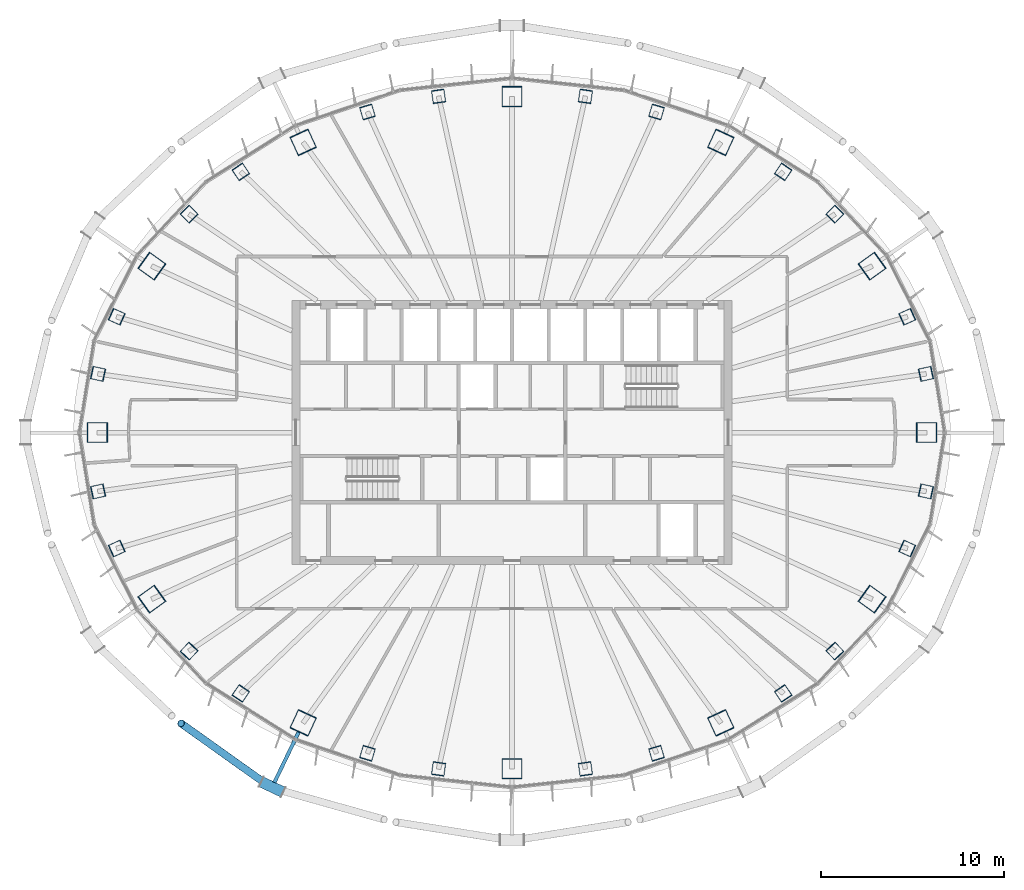
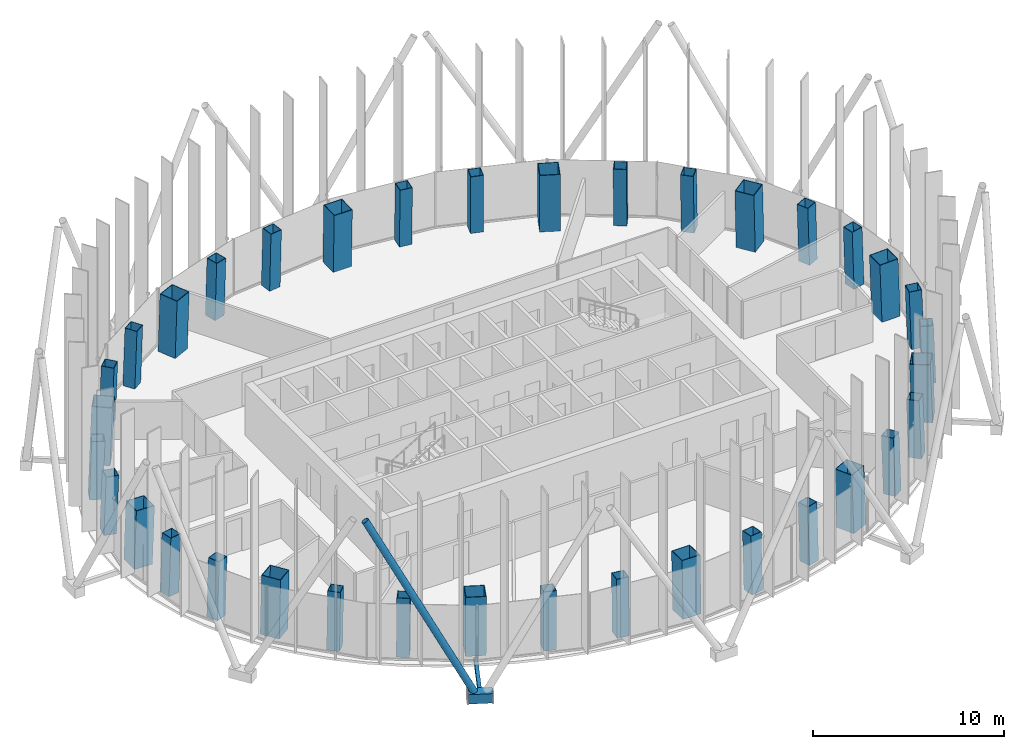
# One storey, part 1 of 19: 36 columns, 3 members.
"""IFC4 building model written with IfcOpenShell, lengths in metres."""

from ifc_helpers import new_model, si_unit, direction, frame, origin, origin_2d, place, context, subcontext, project, spatial, hollow_rectangle, hollow_circle, extrude, material, material_profile, profile_set, type_object, element, save


model = new_model("IFC4")

# Units and contexts
model_context = context("Model", 3, precision=1e-05, world=origin(), true_north=direction((0.0, 1.0)))
body_context = subcontext(model_context, "Body", "Model", "MODEL_VIEW")
ifc_project = project(units=[si_unit("LENGTHUNIT", "METRE"), si_unit("AREAUNIT", "SQUARE_METRE"), si_unit("VOLUMEUNIT", "CUBIC_METRE"), si_unit("PLANEANGLEUNIT", "RADIAN"), si_unit("MASSUNIT", "GRAM", prefix="KILO")], contexts=[model_context])

# Site, building, storey
site_placement = place(None, origin())
site = spatial("IfcSite", under=ifc_project, at=site_placement, CompositionType="ELEMENT")
building_placement = place(site_placement, origin())
building = spatial("IfcBuilding", under=site, at=building_placement, Name="Siaravel Broadcast Tower", CompositionType="ELEMENT")
storey_placement = place(building_placement, frame((0.0, 0.0, 168.199951171875)))
storey = spatial("IfcBuildingStorey", under=building, at=storey_placement, Name="L40", CompositionType="ELEMENT", Elevation=168.199951171875)

# Columns
ifc_material_1 = material(Name="Concrete C60/75", Category="concrete")
ifc_material_profile_1 = material_profile(ifc_material_1, hollow_rectangle(XDim=1.10009765625, YDim=1.10009765625, WallThickness=0.031982421875, at=origin_2d()))
ifc_profile_set_1 = profile_set([ifc_material_profile_1], Name="Concrete C60/75")
column_type_1 = type_object("IfcColumnType", Name="COL-CFT BOX 1100x1100x32", PredefinedType="COLUMN", material=ifc_profile_set_1)
column_1_placement = place(storey_placement, frame((22.62060546875, 0.0, 0.0), z_axis=(-0.034555398, 0.0, 0.999402784), x_axis=(0.0, -1.0, 0.0)))
element("IfcColumn", 1, at=column_1_placement, inside=storey, type_object=column_type_1, Name="Megacolumn MC01", PredefinedType="COLUMN", context=body_context, shape_type="SweptSolid", body=[
    extrude(hollow_rectangle(XDim=1.10009765625, YDim=1.10009765625, WallThickness=0.031982421875, at=origin_2d()), origin(), (0.0, 0.0, 1.0), 3.7021484375),
])
column_2_placement = place(storey_placement, frame((19.643798828125, 9.081298828125, 0.0), z_axis=(-0.030006556, -0.014178922, 0.999449131), x_axis=(0.582870619, -0.812543029, 0.005972246)))
element("IfcColumn", 2, at=column_2_placement, inside=storey, type_object=column_type_1, Name="Megacolumn MC02", PredefinedType="COLUMN", context=body_context, shape_type="SweptSolid", body=[
    extrude(hollow_rectangle(XDim=1.10009765625, YDim=1.10009765625, WallThickness=0.031982421875, at=origin_2d()), origin(), (0.0, 0.0, 1.0), 3.701904296875),
])
column_3_placement = place(storey_placement, frame((11.39013671875, 15.83251953125, 0.0), z_axis=(-0.017280237, -0.024535299, 0.999549605), x_axis=(0.908205264, -0.418489817, 0.005428675)))
element("IfcColumn", 3, at=column_3_placement, inside=storey, type_object=column_type_1, Name="Megacolumn MC03", PredefinedType="COLUMN", context=body_context, shape_type="SweptSolid", body=[
    extrude(hollow_rectangle(XDim=1.10009765625, YDim=1.10009765625, WallThickness=0.031982421875, at=origin_2d()), origin(), (0.0, 0.0, 1.0), 3.70166015625),
])
column_4_placement = place(storey_placement, frame((0.0, 18.330078125, 0.0), z_axis=(0.0, -0.02836206, 0.999597716), x_axis=(1.0, 0.0, 0.0)))
element("IfcColumn", 4, at=column_4_placement, inside=storey, type_object=column_type_1, Name="Megacolumn MC04", PredefinedType="COLUMN", context=body_context, shape_type="SweptSolid", body=[
    extrude(hollow_rectangle(XDim=1.10009765625, YDim=1.10009765625, WallThickness=0.031982421875, at=origin_2d()), origin(), (0.0, 0.0, 1.0), 3.701416015625),
])
column_5_placement = place(storey_placement, frame((-11.39013671875, 15.83251953125, 0.0), z_axis=(0.017280237, -0.024535299, 0.999549605), x_axis=(0.908205264, 0.418489817, -0.005428675)))
element("IfcColumn", 5, at=column_5_placement, inside=storey, type_object=column_type_1, Name="Megacolumn MC05", PredefinedType="COLUMN", context=body_context, shape_type="SweptSolid", body=[
    extrude(hollow_rectangle(XDim=1.10009765625, YDim=1.10009765625, WallThickness=0.031982421875, at=origin_2d()), origin(), (0.0, 0.0, 1.0), 3.70166015625),
])
column_6_placement = place(storey_placement, frame((-19.643798828125, 9.081298828125, 0.0), z_axis=(0.030006556, -0.014178922, 0.999449131), x_axis=(0.582870619, 0.812543029, -0.005972246)))
element("IfcColumn", 6, at=column_6_placement, inside=storey, type_object=column_type_1, Name="Megacolumn MC06", PredefinedType="COLUMN", context=body_context, shape_type="SweptSolid", body=[
    extrude(hollow_rectangle(XDim=1.10009765625, YDim=1.10009765625, WallThickness=0.031982421875, at=origin_2d()), origin(), (0.0, 0.0, 1.0), 3.701904296875),
])
column_7_placement = place(storey_placement, frame((-22.62060546875, 0.0, 0.0), z_axis=(0.034555398, 0.0, 0.999402784), x_axis=(0.0, 1.0, 0.0)))
element("IfcColumn", 7, at=column_7_placement, inside=storey, type_object=column_type_1, Name="Megacolumn MC07", PredefinedType="COLUMN", context=body_context, shape_type="SweptSolid", body=[
    extrude(hollow_rectangle(XDim=1.10009765625, YDim=1.10009765625, WallThickness=0.031982421875, at=origin_2d()), origin(), (0.0, 0.0, 1.0), 3.7021484375),
])
column_8_placement = place(storey_placement, frame((-19.643798828125, -9.081298828125, 0.0), z_axis=(0.030006556, 0.014178922, 0.999449131), x_axis=(-0.582870619, 0.812543029, 0.005972246)))
element("IfcColumn", 8, at=column_8_placement, inside=storey, type_object=column_type_1, Name="Megacolumn MC08", PredefinedType="COLUMN", context=body_context, shape_type="SweptSolid", body=[
    extrude(hollow_rectangle(XDim=1.10009765625, YDim=1.10009765625, WallThickness=0.031982421875, at=origin_2d()), origin(), (0.0, 0.0, 1.0), 3.701904296875),
])
column_9_placement = place(storey_placement, frame((-11.39013671875, -15.83251953125, 0.0), z_axis=(0.017280237, 0.024535299, 0.999549605), x_axis=(-0.908205264, 0.418489817, 0.005428675)))
element("IfcColumn", 9, at=column_9_placement, inside=storey, type_object=column_type_1, Name="Megacolumn MC09", PredefinedType="COLUMN", context=body_context, shape_type="SweptSolid", body=[
    extrude(hollow_rectangle(XDim=1.10009765625, YDim=1.10009765625, WallThickness=0.031982421875, at=origin_2d()), origin(), (0.0, 0.0, 1.0), 3.70166015625),
])
column_10_placement = place(storey_placement, frame((0.0, -18.330078125, 0.0), z_axis=(0.0, 0.02836206, 0.999597716), x_axis=(-1.0, 0.0, 0.0)))
element("IfcColumn", 10, at=column_10_placement, inside=storey, type_object=column_type_1, Name="Megacolumn MC10", PredefinedType="COLUMN", context=body_context, shape_type="SweptSolid", body=[
    extrude(hollow_rectangle(XDim=1.10009765625, YDim=1.10009765625, WallThickness=0.031982421875, at=origin_2d()), origin(), (0.0, 0.0, 1.0), 3.701416015625),
])
column_11_placement = place(storey_placement, frame((11.39013671875, -15.83251953125, 0.0), z_axis=(-0.017280237, 0.024535299, 0.999549605), x_axis=(-0.908205264, -0.418489817, -0.005428675)))
element("IfcColumn", 11, at=column_11_placement, inside=storey, type_object=column_type_1, Name="Megacolumn MC11", PredefinedType="COLUMN", context=body_context, shape_type="SweptSolid", body=[
    extrude(hollow_rectangle(XDim=1.10009765625, YDim=1.10009765625, WallThickness=0.031982421875, at=origin_2d()), origin(), (0.0, 0.0, 1.0), 3.70166015625),
])
column_12_placement = place(storey_placement, frame((19.643798828125, -9.081298828125, 0.0), z_axis=(-0.030006556, 0.014178922, 0.999449131), x_axis=(-0.582870619, -0.812543029, -0.005972246)))
element("IfcColumn", 12, at=column_12_placement, inside=storey, type_object=column_type_1, Name="Megacolumn MC12", PredefinedType="COLUMN", context=body_context, shape_type="SweptSolid", body=[
    extrude(hollow_rectangle(XDim=1.10009765625, YDim=1.10009765625, WallThickness=0.031982421875, at=origin_2d()), origin(), (0.0, 0.0, 1.0), 3.701904296875),
])
ifc_material_profile_2 = material_profile(ifc_material_1, hollow_rectangle(XDim=0.699951171875, YDim=0.699951171875, WallThickness=0.02490234375, at=origin_2d()))
ifc_profile_set_2 = profile_set([ifc_material_profile_2], Name="Concrete C60/75")
column_type_2 = type_object("IfcColumnType", Name="COL-CFT BOX 700x700x25", PredefinedType="COLUMN", material=ifc_profile_set_2)
for number, where, z_axis, x_axis, name in (
    (13, (22.578369140625, 3.20556640625, 0.0), (-0.034093914, -0.00487998, 0.999406719), (0.211515423, -0.977371606, 0.002443284), "Perimeter column C01"),
    (14, (21.55908203125, 6.320556640625, 0.0), (-0.032511791, -0.009694185, 0.999424337), (0.410187936, -0.911989928, 0.004497534), "Perimeter column C02"),
):
    element("IfcColumn", number, at=place(storey_placement, frame(where, z_axis=z_axis, x_axis=x_axis)), inside=storey, type_object=column_type_2, Name=name, PredefinedType="COLUMN", context=body_context, shape_type="SweptSolid", body=[
        extrude(hollow_rectangle(XDim=0.699951171875, YDim=0.699951171875, WallThickness=0.02490234375, at=origin_2d()), origin(), (0.0, 0.0, 1.0), 3.7021484375),
    ])
column_13_placement = place(storey_placement, frame((17.6123046875, 11.9169921875, 0.0), z_axis=(-0.026512179, -0.018202391, 0.999482755), x_axis=(0.720213714, -0.693722092, 0.00647038)))
element("IfcColumn", 15, at=column_13_placement, inside=storey, type_object=column_type_2, Name="Perimeter column C03", PredefinedType="COLUMN", context=body_context, shape_type="SweptSolid", body=[
    extrude(hollow_rectangle(XDim=0.699951171875, YDim=0.699951171875, WallThickness=0.02490234375, at=origin_2d()), origin(), (0.0, 0.0, 1.0), 3.701904296875),
])
column_14_placement = place(storey_placement, frame((14.794189453125, 14.224853515625, 0.0), z_axis=(-0.022226156, -0.021698532, 0.999517469), x_axis=(0.828331093, -0.560203925, 0.006258033)))
element("IfcColumn", 16, at=column_14_placement, inside=storey, type_object=column_type_2, Name="Perimeter column C04", PredefinedType="COLUMN", context=body_context, shape_type="SweptSolid", body=[
    extrude(hollow_rectangle(XDim=0.699951171875, YDim=0.699951171875, WallThickness=0.02490234375, at=origin_2d()), origin(), (0.0, 0.0, 1.0), 3.70166015625),
])
for number, where, z_axis, x_axis, name in (
    (17, (7.884521484375, 17.491455078125, 0.0), (-0.011872234, -0.026580613, 0.999576171), (0.959266613, -0.282475655, 0.003881907), "Perimeter column C05"),
    (18, (4.004638671875, 18.343017578125, 0.0), (-0.006002173, -0.027900212, 0.999592693), (0.990154778, -0.139961991, 0.002038942), "Perimeter column C06"),
    (19, (-4.004638671875, 18.343017578125, 0.0), (0.006002173, -0.027900212, 0.999592693), (0.990154778, 0.139961991, -0.002038942), "Perimeter column C07"),
    (20, (-7.884521484375, 17.491455078125, 0.0), (0.011872234, -0.026580613, 0.999576171), (0.959266613, 0.282475655, -0.003881907), "Perimeter column C08"),
):
    element("IfcColumn", number, at=place(storey_placement, frame(where, z_axis=z_axis, x_axis=x_axis)), inside=storey, type_object=column_type_2, Name=name, PredefinedType="COLUMN", context=body_context, shape_type="SweptSolid", body=[
        extrude(hollow_rectangle(XDim=0.699951171875, YDim=0.699951171875, WallThickness=0.02490234375, at=origin_2d()), origin(), (0.0, 0.0, 1.0), 3.701416015625),
    ])
column_15_placement = place(storey_placement, frame((-14.794189453125, 14.224853515625, 0.0), z_axis=(0.022226156, -0.021698532, 0.999517469), x_axis=(0.828331093, 0.560203925, -0.006258033)))
element("IfcColumn", 21, at=column_15_placement, inside=storey, type_object=column_type_2, Name="Perimeter column C09", PredefinedType="COLUMN", context=body_context, shape_type="SweptSolid", body=[
    extrude(hollow_rectangle(XDim=0.699951171875, YDim=0.699951171875, WallThickness=0.02490234375, at=origin_2d()), origin(), (0.0, 0.0, 1.0), 3.70166015625),
])
column_16_placement = place(storey_placement, frame((-17.6123046875, 11.9169921875, 0.0), z_axis=(0.026512179, -0.018202391, 0.999482755), x_axis=(0.720213714, 0.693722092, -0.00647038)))
element("IfcColumn", 22, at=column_16_placement, inside=storey, type_object=column_type_2, Name="Perimeter column C10", PredefinedType="COLUMN", context=body_context, shape_type="SweptSolid", body=[
    extrude(hollow_rectangle(XDim=0.699951171875, YDim=0.699951171875, WallThickness=0.02490234375, at=origin_2d()), origin(), (0.0, 0.0, 1.0), 3.701904296875),
])
for number, where, z_axis, x_axis, name in (
    (23, (-21.55908203125, 6.320556640625, 0.0), (0.032511791, -0.009694185, 0.999424337), (0.410187936, 0.911989928, -0.004497534), "Perimeter column C11"),
    (24, (-22.578369140625, 3.20556640625, 0.0), (0.034093914, -0.00487998, 0.999406719), (0.211515423, 0.977371606, -0.002443284), "Perimeter column C12"),
    (25, (-22.578369140625, -3.20556640625, 0.0), (0.034093914, 0.00487998, 0.999406719), (-0.211515423, 0.977371606, 0.002443284), "Perimeter column C13"),
    (26, (-21.55908203125, -6.320556640625, 0.0), (0.032511791, 0.009694185, 0.999424337), (-0.410187936, 0.911989928, 0.004497534), "Perimeter column C14"),
):
    element("IfcColumn", number, at=place(storey_placement, frame(where, z_axis=z_axis, x_axis=x_axis)), inside=storey, type_object=column_type_2, Name=name, PredefinedType="COLUMN", context=body_context, shape_type="SweptSolid", body=[
        extrude(hollow_rectangle(XDim=0.699951171875, YDim=0.699951171875, WallThickness=0.02490234375, at=origin_2d()), origin(), (0.0, 0.0, 1.0), 3.7021484375),
    ])
column_17_placement = place(storey_placement, frame((-17.6123046875, -11.9169921875, 0.0), z_axis=(0.026512179, 0.018202391, 0.999482755), x_axis=(-0.720213714, 0.693722092, 0.00647038)))
element("IfcColumn", 27, at=column_17_placement, inside=storey, type_object=column_type_2, Name="Perimeter column C15", PredefinedType="COLUMN", context=body_context, shape_type="SweptSolid", body=[
    extrude(hollow_rectangle(XDim=0.699951171875, YDim=0.699951171875, WallThickness=0.02490234375, at=origin_2d()), origin(), (0.0, 0.0, 1.0), 3.701904296875),
])
column_18_placement = place(storey_placement, frame((-14.794189453125, -14.224853515625, 0.0), z_axis=(0.022226156, 0.021698532, 0.999517469), x_axis=(-0.828331093, 0.560203925, 0.006258033)))
element("IfcColumn", 28, at=column_18_placement, inside=storey, type_object=column_type_2, Name="Perimeter column C16", PredefinedType="COLUMN", context=body_context, shape_type="SweptSolid", body=[
    extrude(hollow_rectangle(XDim=0.699951171875, YDim=0.699951171875, WallThickness=0.02490234375, at=origin_2d()), origin(), (0.0, 0.0, 1.0), 3.70166015625),
])
for number, where, z_axis, x_axis, name in (
    (29, (-7.884521484375, -17.491455078125, 0.0), (0.011872234, 0.026580613, 0.999576171), (-0.959266613, 0.282475655, 0.003881907), "Perimeter column C17"),
    (30, (-4.004638671875, -18.343017578125, 0.0), (0.006002173, 0.027900212, 0.999592693), (-0.990154778, 0.139961991, 0.002038942), "Perimeter column C18"),
    (31, (4.004638671875, -18.343017578125, 0.0), (-0.006002173, 0.027900212, 0.999592693), (-0.990154778, -0.139961991, -0.002038942), "Perimeter column C19"),
    (32, (7.884521484375, -17.491455078125, 0.0), (-0.011872234, 0.026580613, 0.999576171), (-0.959266613, -0.282475655, -0.003881907), "Perimeter column C20"),
):
    element("IfcColumn", number, at=place(storey_placement, frame(where, z_axis=z_axis, x_axis=x_axis)), inside=storey, type_object=column_type_2, Name=name, PredefinedType="COLUMN", context=body_context, shape_type="SweptSolid", body=[
        extrude(hollow_rectangle(XDim=0.699951171875, YDim=0.699951171875, WallThickness=0.02490234375, at=origin_2d()), origin(), (0.0, 0.0, 1.0), 3.701416015625),
    ])
column_19_placement = place(storey_placement, frame((14.794189453125, -14.224853515625, 0.0), z_axis=(-0.022226156, 0.021698532, 0.999517469), x_axis=(-0.828331093, -0.560203925, -0.006258033)))
element("IfcColumn", 33, at=column_19_placement, inside=storey, type_object=column_type_2, Name="Perimeter column C21", PredefinedType="COLUMN", context=body_context, shape_type="SweptSolid", body=[
    extrude(hollow_rectangle(XDim=0.699951171875, YDim=0.699951171875, WallThickness=0.02490234375, at=origin_2d()), origin(), (0.0, 0.0, 1.0), 3.70166015625),
])
column_20_placement = place(storey_placement, frame((17.6123046875, -11.9169921875, 0.0), z_axis=(-0.026512179, 0.018202391, 0.999482755), x_axis=(-0.720213714, -0.693722092, -0.00647038)))
element("IfcColumn", 34, at=column_20_placement, inside=storey, type_object=column_type_2, Name="Perimeter column C22", PredefinedType="COLUMN", context=body_context, shape_type="SweptSolid", body=[
    extrude(hollow_rectangle(XDim=0.699951171875, YDim=0.699951171875, WallThickness=0.02490234375, at=origin_2d()), origin(), (0.0, 0.0, 1.0), 3.701904296875),
])
for number, where, z_axis, x_axis, name in (
    (35, (21.55908203125, -6.320556640625, 0.0), (-0.032511791, 0.009694185, 0.999424337), (-0.410187936, -0.911989928, -0.004497534), "Perimeter column C23"),
    (36, (22.578369140625, -3.20556640625, 0.0), (-0.034093914, 0.00487998, 0.999406719), (-0.211515423, -0.977371606, -0.002443284), "Perimeter column C24"),
):
    element("IfcColumn", number, at=place(storey_placement, frame(where, z_axis=z_axis, x_axis=x_axis)), inside=storey, type_object=column_type_2, Name=name, PredefinedType="COLUMN", context=body_context, shape_type="SweptSolid", body=[
        extrude(hollow_rectangle(XDim=0.699951171875, YDim=0.699951171875, WallThickness=0.02490234375, at=origin_2d()), origin(), (0.0, 0.0, 1.0), 3.7021484375),
    ])

# Members
ifc_material_2 = material(Name="Steel S460", Category="steel")
ifc_material_profile_3 = material_profile(ifc_material_2, hollow_circle(Radius=0.203125, WallThickness=0.01611328125, at=origin_2d()))
ifc_profile_set_3 = profile_set([ifc_material_profile_3], Name="Steel S460")
member_type_1 = type_object("IfcMemberType", Name="Diagrid diagonal CHS 406.4x16", PredefinedType="BRACE", material=ifc_profile_set_3)
member_1_placement = place(storey_placement, frame((-13.3603515625, -19.17529296875, 0.070068359375), z_axis=(-0.388888457, 0.277147773, 0.878609629), x_axis=(-0.580364716, -0.814356676, 0.0)))
element("IfcMember", 37, at=member_1_placement, inside=storey, type_object=member_type_1, Name="Diagrid diagonal R17 station 48C", PredefinedType="BRACE", context=body_context, shape_type="SweptSolid", body=[
    extrude(hollow_circle(Radius=0.203125, WallThickness=0.01611328125, at=origin_2d()), origin(), (0.0, 0.0, 1.0), 12.01904296875),
])
ifc_material_profile_4 = material_profile(ifc_material_2, hollow_rectangle(XDim=0.60009765625, YDim=0.60009765625, WallThickness=0.031982421875, at=origin_2d()))
ifc_profile_set_4 = profile_set([ifc_material_profile_4], Name="Steel S460")
member_type_2 = type_object("IfcMemberType", Name="Diagrid node BOX 600x600x32", PredefinedType="USERDEFINED", material=ifc_profile_set_4)
member_2_placement = place(storey_placement, frame((-13.652587890625, -19.037109375, -0.199951171875), z_axis=(0.903991359, -0.427550726, 0.0), x_axis=(0.427550726, 0.903991359, 0.0)))
element("IfcMember", 38, at=member_2_placement, inside=storey, type_object=member_type_2, Name="Diagrid node R17 station 48", ObjectType="DIAGRID NODE", PredefinedType="USERDEFINED", context=body_context, shape_type="SweptSolid", body=[
    extrude(hollow_rectangle(XDim=0.60009765625, YDim=0.60009765625, WallThickness=0.031982421875, at=origin_2d()), origin(), (0.0, 0.0, 1.0), 1.29345703125),
])
ifc_material_profile_5 = material_profile(ifc_material_2, hollow_rectangle(XDim=0.199951171875, YDim=0.300048828125, WallThickness=0.012451171875, at=origin_2d()))
ifc_profile_set_5 = profile_set([ifc_material_profile_5], Name="Steel S460")
member_type_3 = type_object("IfcMemberType", Name="Diagrid node arm RHS 300x200x12.5", PredefinedType="STRUT", material=ifc_profile_set_5)
member_3_placement = place(storey_placement, frame((-11.615966796875, -16.30078125, -0.199951171875), z_axis=(-0.434142698, -0.900844114, 0.0), x_axis=(0.900844114, -0.434142698, 0.0)))
element("IfcMember", 39, at=member_3_placement, inside=storey, type_object=member_type_3, Name="Node arm R17 station 48", PredefinedType="STRUT", context=body_context, shape_type="SweptSolid", body=[
    extrude(hollow_rectangle(XDim=0.199951171875, YDim=0.300048828125, WallThickness=0.012451171875, at=origin_2d()), origin(), (0.0, 0.0, 1.0), 3.074462890625),
])

save(model, "model.ifc")
